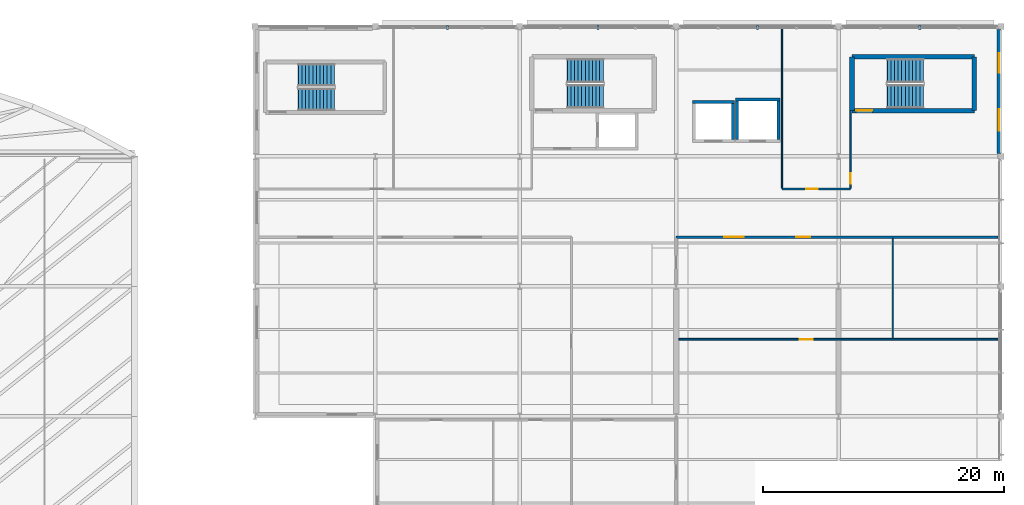
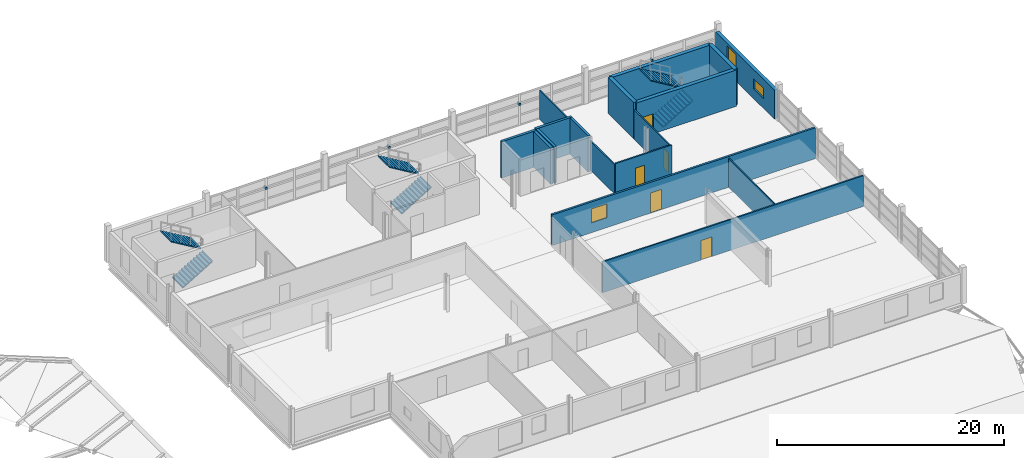
# One storey, part 104 of 110: 16 walls, 6 stair flights, 5 doors, 4 discrete accessories, 3 windows, 8 openings, 3 elements without a shape of their own.
"""IFC4 building model written with IfcOpenShell, lengths in metres."""

import ifcopenshell
import ifcopenshell.guid

model = None  # the IFC model being written
_history = None  # IfcOwnerHistory: only IFC2X3 demands one
_inside = {}  # id of a spatial element -> (the spatial element, [elements in it])
_under = {}  # id of a project, library or spatial element -> (it, [spatial elements below it])
_declared = {}  # id of a project -> (the project, [libraries it declares])
_typed = {}  # id of a type object -> (the type object, [elements of that type])
_made_of = {}  # id of a material, layer set ... -> (it, [elements and type objects made of it])


def new_model(schema):
    """Start an empty IFC model of exactly this schema.

    Asked for "IFC4X3", IfcOpenShell would pick the latest addendum, in which some entities
    have other attributes; the version numbers below select the first issue.
    IFC2X3 requires an IfcOwnerHistory on every rooted entity: one is made here for all.
    """
    global model, _history
    if schema == "IFC4X3":
        model = ifcopenshell.file(schema_version=(4, 3, 0, 0))
    else:
        model = ifcopenshell.file(schema=schema)
    _inside.clear()
    _under.clear()
    _declared.clear()
    _typed.clear()
    _made_of.clear()
    _history = None
    if model.schema == "IFC2X3":
        org = make("IfcOrganization", Name="unknown")
        user = make(
            "IfcPersonAndOrganization",
            ThePerson=make("IfcPerson", FamilyName="unknown"),
            TheOrganization=org,
        )
        app = make(
            "IfcApplication",
            ApplicationDeveloper=org,
            Version="unknown",
            ApplicationFullName="unknown",
            ApplicationIdentifier="unknown",
        )
        _history = make(
            "IfcOwnerHistory",
            OwningUser=user,
            OwningApplication=app,
            ChangeAction="ADDED",
            CreationDate=0,
        )
    return model


def make(cls, **values):
    """One entity of the class cls with the attributes given. An attribute that is None is left unset."""
    return model.create_entity(
        cls, **{name: value for name, value in values.items() if value is not None}
    )


def rooted(cls, **values):
    """An entity with a GlobalId (a new one), such as an element, a storey or a relation."""
    return make(cls, GlobalId=ifcopenshell.guid.new(), OwnerHistory=_history, **values)


def si_unit(unit_type, name, prefix=None):
    """IfcSIUnit, for example si_unit("LENGTHUNIT", "METRE", prefix="MILLI")."""
    return make("IfcSIUnit", UnitType=unit_type, Prefix=prefix, Name=name)


def assignment(units):
    """IfcUnitAssignment: the units of a project."""
    return None if units is None else make("IfcUnitAssignment", Units=units)


def point(xyz):
    """IfcCartesianPoint."""
    return None if xyz is None else make("IfcCartesianPoint", Coordinates=xyz)


def direction(xyz):
    """IfcDirection."""
    return None if xyz is None else make("IfcDirection", DirectionRatios=xyz)


def frame(location, z_axis=None, x_axis=None):
    """IfcAxis2Placement3D, a coordinate frame: its origin and axes. An axis left out is left unset."""
    return make(
        "IfcAxis2Placement3D",
        Location=point(location),
        Axis=direction(z_axis),
        RefDirection=direction(x_axis),
    )


def frame_2d(location, x_axis=None):
    """IfcAxis2Placement2D, a coordinate frame in the plane: its origin and x axis."""
    return make(
        "IfcAxis2Placement2D", Location=point(location), RefDirection=direction(x_axis)
    )


def origin():
    """The frame at (0, 0, 0) with its axes left unset."""
    return frame((0.0, 0.0, 0.0))


def origin_2d():
    """The frame at (0, 0) in the plane with its x axis left unset."""
    return frame_2d((0.0, 0.0))


def place(relative_to, where):
    """IfcLocalPlacement: puts the frame where relative to a parent placement (None: the world)."""
    return make(
        "IfcLocalPlacement", PlacementRelTo=relative_to, RelativePlacement=where
    )


def context(
    kind, dimensions, precision=None, world=None, true_north=None, identifier=None
):
    """IfcGeometricRepresentationContext, for example the 3D "Model" context."""
    return make(
        "IfcGeometricRepresentationContext",
        ContextIdentifier=identifier,
        ContextType=kind,
        CoordinateSpaceDimension=dimensions,
        Precision=precision,
        WorldCoordinateSystem=world,
        TrueNorth=true_north,
    )


def subcontext(parent, identifier, kind, view, scale=None):
    """IfcGeometricRepresentationSubContext, for example "Body" below "Model"."""
    return make(
        "IfcGeometricRepresentationSubContext",
        ContextIdentifier=identifier,
        ContextType=kind,
        ParentContext=parent,
        TargetScale=scale,
        TargetView=view,
    )


def project(units=None, contexts=None):
    """IfcProject with its units and contexts."""
    return rooted(
        "IfcProject",
        Name="project",
        RepresentationContexts=contexts,
        UnitsInContext=assignment(units),
    )


def spatial(cls, under=None, at=None, **own):
    """A site, building, storey or space (cls), placed at a placement, below another one or the project."""
    s = rooted(cls, ObjectPlacement=at, **own)
    if under is not None:
        _under.setdefault(under.id(), (under, []))[1].append(s)
    return s


def polyline(points):
    """IfcPolyline through the points."""
    return make("IfcPolyline", Points=[point(p) for p in points])


def profile(cls, at=None, kind="AREA", **sizes):
    """A parametric profile (cls). Its sizes go by their IFC names, for example OverallWidth=200.0."""
    return make(cls, ProfileType=kind, Position=at, **sizes)


def rectangle(**sizes):
    """IfcRectangleProfileDef."""
    return profile("IfcRectangleProfileDef", **sizes)


def outline(outer, holes=None, kind="AREA"):
    """IfcArbitraryClosedProfileDef: a profile drawn as a closed curve; with holes, ...WithVoids."""
    if holes is None:
        return make("IfcArbitraryClosedProfileDef", ProfileType=kind, OuterCurve=outer)
    return make(
        "IfcArbitraryProfileDefWithVoids",
        ProfileType=kind,
        OuterCurve=outer,
        InnerCurves=holes,
    )


def extrude(swept, where, along, depth):
    """IfcExtrudedAreaSolid: the profile swept, set in the frame where, extruded along a direction by depth."""
    return make(
        "IfcExtrudedAreaSolid",
        SweptArea=swept,
        Position=where,
        ExtrudedDirection=direction(along),
        Depth=depth,
    )


def shape(context_of_items, identifier, shape_type, items):
    """IfcShapeRepresentation: the items that make up one representation, for example the "Body"."""
    return make(
        "IfcShapeRepresentation",
        ContextOfItems=context_of_items,
        RepresentationIdentifier=identifier,
        RepresentationType=shape_type,
        Items=items,
    )


def material(Name=None, Category=None):
    """IfcMaterial."""
    return make("IfcMaterial", Name=Name, Category=Category)


def layer(
    of_material, thickness, ventilated=None, Name=None, Category=None, Priority=None
):
    """IfcMaterialLayer: one layer of a wall or slab, of a material (None: an air gap)."""
    return make(
        "IfcMaterialLayer",
        Material=of_material,
        LayerThickness=thickness,
        IsVentilated=ventilated,
        Name=Name,
        Category=Category,
        Priority=Priority,
    )


def layer_set(layers, Name=None):
    """IfcMaterialLayerSet."""
    return make("IfcMaterialLayerSet", MaterialLayers=layers, LayerSetName=Name)


def made_of(thing, what):
    """Note that an element or type object is made of a material, layer set ...; save() writes the relation."""
    if what is not None:
        _made_of.setdefault(what.id(), (what, []))[1].append(thing)
    return thing


def type_object(cls, material=None, **own):
    """A type object (cls), such as IfcWallType, which elements share."""
    return made_of(rooted(cls, **own), material)


def element(
    cls,
    number,
    at=None,
    inside=None,
    cuts=None,
    type_object=None,
    material=None,
    context=None,
    identifier="Body",
    shape_type=None,
    held_by="IfcProductDefinitionShape",
    body=None,
    shapes=None,
    **own,
):
    """One element of the class cls, such as IfcWall. Its Tag is "e" and its number.

    at: its placement. inside: the storey or other place that contains it. cuts: it is an
    opening in that element (IfcRelVoidsElement). A single representation is given by context,
    identifier, shape_type and body (its items); several are given by shapes. held_by: the class
    of the entity that holds the representations. save() writes the other relations.
    """
    e = rooted(cls, Tag="e%d" % number, ObjectPlacement=at, **own)
    if body is not None:
        shapes = [shape(context, identifier, shape_type, body)]
    if shapes is not None:
        e.Representation = make(held_by, Representations=shapes)
    if inside is not None:
        _inside.setdefault(inside.id(), (inside, []))[1].append(e)
    if cuts is not None:
        rooted(
            "IfcRelVoidsElement", RelatingBuildingElement=cuts, RelatedOpeningElement=e
        )
    if type_object is not None:
        _typed.setdefault(type_object.id(), (type_object, []))[1].append(e)
    return made_of(e, material)


def fill(opening, filler):
    """IfcRelFillsElement: the door or window that sits in an opening."""
    return rooted(
        "IfcRelFillsElement",
        RelatingOpeningElement=opening,
        RelatedBuildingElement=filler,
    )


def aggregate(whole, parts):
    """IfcRelAggregates: a whole, such as a stair, and the parts it consists of."""
    return rooted("IfcRelAggregates", RelatingObject=whole, RelatedObjects=parts)


def save(model, path):
    """Write the relations noted so far, then the file.

    IfcRelAggregates (storeys below a building ...), IfcRelContainedInSpatialStructure (elements
    in a storey), IfcRelDefinesByType, IfcRelAssociatesMaterial and IfcRelDeclares: one each for
    every whole, place, type object, material and project.
    """
    for whole, parts in _under.values():
        aggregate(whole, parts)
    for where, things in _inside.values():
        rooted(
            "IfcRelContainedInSpatialStructure",
            RelatedElements=things,
            RelatingStructure=where,
        )
    for kind, things in _typed.values():
        rooted("IfcRelDefinesByType", RelatedObjects=things, RelatingType=kind)
    for what, things in _made_of.values():
        rooted("IfcRelAssociatesMaterial", RelatedObjects=things, RelatingMaterial=what)
    for by, libraries in _declared.values():
        rooted("IfcRelDeclares", RelatingContext=by, RelatedDefinitions=libraries)
    model.write(path)


model = new_model("IFC4")

# Units and contexts
model_context = context("Model", 3, precision=1e-05, world=origin(), true_north=direction((0.0, 1.0)))
body_context = subcontext(model_context, "Body", "Model", "MODEL_VIEW")
ifc_project = project(units=[si_unit("LENGTHUNIT", "METRE"), si_unit("AREAUNIT", "SQUARE_METRE"), si_unit("VOLUMEUNIT", "CUBIC_METRE"), si_unit("PLANEANGLEUNIT", "RADIAN"), si_unit("MASSUNIT", "GRAM", prefix="KILO")], contexts=[model_context])

# Site, building, storey
site_placement = place(None, origin())
site = spatial("IfcSite", under=ifc_project, at=site_placement, CompositionType="ELEMENT")
building_placement = place(site_placement, origin())
building = spatial("IfcBuilding", under=site, at=building_placement, Name="Tamarisk Ironworks Central Station", CompositionType="ELEMENT")
storey_placement = place(building_placement, frame((0.0, 0.0, 17.39990234375)))
storey = spatial("IfcBuildingStorey", under=building, at=storey_placement, Name="L03", CompositionType="ELEMENT", Elevation=17.39990234375)

# Wall, openings, windows
ifc_material_1 = material(Name="Clay facing brickwork and mortar", Category="masonry")
ifc_layer_1 = layer(ifc_material_1, 0.340087890625)
ifc_layer_set_1 = layer_set([ifc_layer_1], Name="Clay facing brickwork and mortar")
wall_type_1 = type_object("IfcWallType", Name="WL-BR340", PredefinedType="STANDARD", material=ifc_layer_set_1)
wall_1_placement = place(storey_placement, frame((179.830078125, 122.152099609375, 0.0), z_axis=(0.0, 0.0, 1.0), x_axis=(0.0, -1.0, 0.0)))
wall_1 = element("IfcWall", 1, at=wall_1_placement, inside=storey, type_object=wall_type_1, Name="L03 brick facade wall 0078", PredefinedType="STANDARD", context=body_context, shape_type="SweptSolid", body=[
    extrude(rectangle(XDim=10.30419921875, YDim=0.340087890625, at=frame_2d((5.152099609375, 0.0))), origin(), (0.0, 0.0, 1.0), 3.1201171875),
])
opening_1_placement = place(wall_1_placement, frame((1.97607421875, 0.0, 0.75)))
opening_1 = element("IfcOpeningElement", 2, at=opening_1_placement, cuts=wall_1, Name="Opening W10", PredefinedType="OPENING", context=body_context, shape_type="SweptSolid", body=[
    extrude(rectangle(XDim=1.60009765625, YDim=2.10009765625, at=frame_2d((0.800048828125, 1.050048828125))), frame((0.0, 0.18212890625, 0.0), z_axis=(0.0, -1.0, 0.0), x_axis=(1.0, 0.0, 0.0)), (0.0, 0.0, 1.0), 0.364013671875),
])
opening_2_placement = place(wall_1_placement, frame((6.6279296875, 0.0, 1.050048828125)))
opening_2 = element("IfcOpeningElement", 3, at=opening_2_placement, cuts=wall_1, Name="Opening W18", PredefinedType="OPENING", context=body_context, shape_type="SweptSolid", body=[
    extrude(rectangle(XDim=1.800048828125, YDim=1.10009765625, at=frame_2d((0.89990234375, 0.550048828125))), frame((0.0, 0.18212890625, 0.0), z_axis=(0.0, -1.0, 0.0), x_axis=(1.0, 0.0, 0.0)), (0.0, 0.0, 1.0), 0.364013671875),
])
ifc_material_2 = material(Name="Laminated solar-control low-E glass", Category="glass")
window_type_1 = type_object("IfcWindowType", Name="WN-10", PartitioningType="SINGLE_PANEL", PredefinedType="WINDOW", material=ifc_material_2)
window_1_placement = place(opening_1_placement, origin())
window_1 = element("IfcWindow", 4, at=window_1_placement, inside=storey, type_object=window_type_1, Name="L03 exterior window 0133", OverallHeight=2.10009765625, OverallWidth=1.60009765625, PartitioningType="DOUBLE_PANEL_VERTICAL", PredefinedType="WINDOW", context=body_context, shape_type="SweptSolid", body=[
    extrude(rectangle(XDim=1.60009765625, YDim=2.10009765625, at=frame_2d((0.800048828125, 1.050048828125))), frame((0.0, 0.030029296875, 0.0), z_axis=(0.0, -1.0, 0.0), x_axis=(1.0, 0.0, 0.0)), (0.0, 0.0, 1.0), 0.06005859375),
])
fill(opening_1, window_1)
window_type_2 = type_object("IfcWindowType", Name="WN-18", PartitioningType="SINGLE_PANEL", PredefinedType="WINDOW", material=ifc_material_2)
window_2_placement = place(opening_2_placement, origin())
window_2 = element("IfcWindow", 5, at=window_2_placement, inside=storey, type_object=window_type_2, Name="L03 exterior window 0134", OverallHeight=1.10009765625, OverallWidth=1.800048828125, PartitioningType="DOUBLE_PANEL_VERTICAL", PredefinedType="WINDOW", context=body_context, shape_type="SweptSolid", body=[
    extrude(rectangle(XDim=1.800048828125, YDim=1.10009765625, at=frame_2d((0.89990234375, 0.550048828125))), frame((0.0, 0.030029296875, 0.0), z_axis=(0.0, -1.0, 0.0), x_axis=(1.0, 0.0, 0.0)), (0.0, 0.0, 1.0), 0.06005859375),
])
fill(opening_2, window_2)

# Wall, opening, door
ifc_material_3 = material(Name="Concrete C50/60", Category="concrete")
ifc_layer_2 = layer(ifc_material_3, 0.3798828125)
ifc_layer_set_2 = layer_set([ifc_layer_2], Name="Concrete C50/60")
wall_type_2 = type_object("IfcWallType", Name="WL-CW380", PredefinedType="SOLIDWALL", material=ifc_layer_set_2)
wall_2_placement = place(storey_placement, frame((167.614990234375, 115.4150390625, 0.0), z_axis=(0.0, 0.0, 1.0), x_axis=(1.0, 0.0, 0.0)))
wall_2 = element("IfcWall", 6, at=wall_2_placement, inside=storey, type_object=wall_type_2, Name="ST-C2 core wall L (L03)", PredefinedType="SOLIDWALL", context=body_context, shape_type="SweptSolid", body=[
    extrude(rectangle(XDim=10.169921875, YDim=0.3798828125, at=frame_2d((5.0849609375, 0.0))), origin(), (0.0, 0.0, 1.0), 3.900146484375),
])
opening_3_placement = place(wall_2_placement, frame((0.35009765625, 0.0, 0.0048828125)))
opening_3 = element("IfcOpeningElement", 7, at=opening_3_placement, cuts=wall_2, Name="Opening FD05", PredefinedType="OPENING", context=body_context, shape_type="SweptSolid", body=[
    extrude(rectangle(XDim=1.35009765625, YDim=2.14990234375, at=frame_2d((0.675048828125, 1.074951171875))), frame((0.0, 0.201904296875, 0.0), z_axis=(0.0, -1.0, 0.0), x_axis=(1.0, 0.0, 0.0)), (0.0, 0.0, 1.0), 0.40380859375),
])
ifc_material_4 = material(Name="Galvanised hollow-metal door steel", Category="steel")
door_type_1 = type_object("IfcDoorType", Name="DR-FD05", OperationType="NOTDEFINED", PredefinedType="DOOR", material=ifc_material_4)
door_1_placement = place(opening_3_placement, origin())
door_1 = element("IfcDoor", 8, at=door_1_placement, inside=storey, type_object=door_type_1, Name="ST-C2 fire stair door (L03)", OperationType="SINGLE_SWING_RIGHT", OverallHeight=2.14990234375, OverallWidth=1.35009765625, PredefinedType="DOOR", context=body_context, shape_type="SweptSolid", body=[
    extrude(rectangle(XDim=1.35009765625, YDim=2.14990234375, at=frame_2d((0.675048828125, 1.074951171875))), frame((0.0, 0.02490234375, 0.0), z_axis=(0.0, -1.0, 0.0), x_axis=(1.0, 0.0, 0.0)), (0.0, 0.0, 1.0), 0.050048828125),
])
fill(opening_3, door_1)

# Walls
wall_3_placement = place(storey_placement, frame((167.614990234375, 119.885009765625, 0.0), z_axis=(0.0, 0.0, 1.0), x_axis=(1.0, 0.0, 0.0)))
element("IfcWall", 9, at=wall_3_placement, inside=storey, type_object=wall_type_2, Name="ST-C2 core wall R (L03)", PredefinedType="SOLIDWALL", context=body_context, shape_type="SweptSolid", body=[
    extrude(rectangle(XDim=10.169921875, YDim=0.3798828125, at=frame_2d((5.0849609375, 0.0))), origin(), (0.0, 0.0, 1.0), 3.900146484375),
])
for number, where, z_axis, x_axis, name in (
    (10, (167.614990234375, 115.4150390625, 0.0), (0.0, 0.0, 1.0), (0.0, 1.0, 0.0), "ST-C2 core wall N (L03)"),
    (11, (177.784912109375, 115.4150390625, 0.0), (0.0, 0.0, 1.0), (0.0, 1.0, 0.0), "ST-C2 core wall F (L03)"),
):
    element("IfcWall", number, at=place(storey_placement, frame(where, z_axis=z_axis, x_axis=x_axis)), inside=storey, type_object=wall_type_2, Name=name, PredefinedType="SOLIDWALL", context=body_context, shape_type="SweptSolid", body=[
        extrude(rectangle(XDim=4.469970703125, YDim=0.3798828125, at=frame_2d((2.23486328125, 0.0))), origin(), (0.0, 0.0, 1.0), 3.900146484375),
    ])
ifc_material_5 = material(Name="Gypsum plasterboard acoustic partition")
ifc_layer_3 = layer(ifc_material_5, 0.10009765625)
ifc_layer_set_3 = layer_set([ifc_layer_3], Name="Gypsum plasterboard acoustic partition")
wall_type_3 = type_object("IfcWallType", Name="WL-MV100", PredefinedType="MOVABLE", material=ifc_layer_set_3)
wall_4_placement = place(storey_placement, frame((171.0, 96.472900390625, 0.0), z_axis=(0.0, 0.0, 1.0), x_axis=(0.0, 1.0, 0.0)))
element("IfcWall", 12, at=wall_4_placement, inside=storey, type_object=wall_type_3, Name="L03 acoustic operable folding partition 04", PredefinedType="MOVABLE", context=body_context, shape_type="SweptSolid", body=[
    extrude(rectangle(XDim=8.3291015625, YDim=0.10009765625, at=frame_2d((4.16455078125, 0.0))), origin(), (0.0, 0.0, 1.0), 3.1201171875),
])

# Wall, opening, door
ifc_layer_4 = layer(ifc_material_5, 0.1201171875)
ifc_layer_set_4 = layer_set([ifc_layer_4], Name="Gypsum plasterboard acoustic partition")
wall_type_4 = type_object("IfcWallType", Name="WL-PT120", PredefinedType="PARTITIONING", material=ifc_layer_set_4)
wall_5_placement = place(storey_placement, frame((167.5, 108.972900390625, 0.0), z_axis=(0.0, 0.0, 1.0), x_axis=(0.0, 1.0, 0.0)))
wall_5 = element("IfcWall", 13, at=wall_5_placement, inside=storey, type_object=wall_type_4, Name="L03 interior partition 0110", PredefinedType="PARTITIONING", context=body_context, shape_type="SweptSolid", body=[
    extrude(rectangle(XDim=6.427001953125, YDim=0.1201171875, at=frame_2d((3.21337890625, 0.0))), origin(), (0.0, 0.0, 1.0), 3.1201171875),
])
opening_4_placement = place(wall_5_placement, frame((0.35009765625, 0.0, 0.0048828125)))
opening_4 = element("IfcOpeningElement", 14, at=opening_4_placement, cuts=wall_5, Name="Opening D08", PredefinedType="OPENING", context=body_context, shape_type="SweptSolid", body=[
    extrude(rectangle(XDim=0.89990234375, YDim=2.10009765625, at=frame_2d((0.449951171875, 1.050048828125))), frame((0.0, 0.072021484375, 0.0), z_axis=(0.0, -1.0, 0.0), x_axis=(1.0, 0.0, 0.0)), (0.0, 0.0, 1.0), 0.14404296875),
])
ifc_material_6 = material(Name="FSC certified tropical hardwood timber", Category="wood")
door_type_2 = type_object("IfcDoorType", Name="DR-ID08", OperationType="NOTDEFINED", PredefinedType="DOOR", material=ifc_material_6)
door_2_placement = place(opening_4_placement, origin())
door_2 = element("IfcDoor", 15, at=door_2_placement, inside=storey, type_object=door_type_2, Name="L03 room door 0081", OperationType="SINGLE_SWING_RIGHT", OverallHeight=2.10009765625, OverallWidth=0.89990234375, PredefinedType="DOOR", context=body_context, shape_type="SweptSolid", body=[
    extrude(rectangle(XDim=0.89990234375, YDim=2.10009765625, at=frame_2d((0.449951171875, 1.050048828125))), frame((0.0, 0.02490234375, 0.0), z_axis=(0.0, -1.0, 0.0), x_axis=(1.0, 0.0, 0.0)), (0.0, 0.0, 1.0), 0.050048828125),
])
fill(opening_4, door_2)

# Wall
wall_6_placement = place(storey_placement, frame((161.800048828125, 108.972900390625, 0.0), z_axis=(0.0, 0.0, 1.0), x_axis=(0.0, 1.0, 0.0)))
element("IfcWall", 16, at=wall_6_placement, inside=storey, type_object=wall_type_4, Name="L03 interior partition 0111", PredefinedType="PARTITIONING", context=body_context, shape_type="SweptSolid", body=[
    extrude(rectangle(XDim=13.189208984375, YDim=0.1201171875, at=frame_2d((6.5947265625, 0.0))), origin(), (0.0, 0.0, 1.0), 3.1201171875),
])

# Wall, opening, door
ifc_layer_5 = layer(ifc_material_5, 0.14990234375)
ifc_layer_set_5 = layer_set([ifc_layer_5], Name="Gypsum plasterboard acoustic partition")
wall_type_5 = type_object("IfcWallType", Name="WL-PT150", PredefinedType="PARTITIONING", material=ifc_layer_set_5)
wall_7_placement = place(storey_placement, frame((153.22802734375, 96.39990234375, 0.0), z_axis=(0.0, 0.0, 1.0), x_axis=(1.0, 0.0, 0.0)))
wall_7 = element("IfcWall", 17, at=wall_7_placement, inside=storey, type_object=wall_type_5, Name="L03 interior partition 0106", PredefinedType="PARTITIONING", context=body_context, shape_type="SweptSolid", body=[
    extrude(rectangle(XDim=26.533935546875, YDim=0.14990234375, at=frame_2d((13.26708984375, 0.0))), origin(), (0.0, 0.0, 1.0), 3.31005859375),
])
opening_5_placement = place(wall_7_placement, frame((10.028076171875, 0.0, 0.0048828125)))
opening_5 = element("IfcOpeningElement", 18, at=opening_5_placement, cuts=wall_7, Name="Opening D05", PredefinedType="OPENING", context=body_context, shape_type="SweptSolid", body=[
    extrude(rectangle(XDim=1.10009765625, YDim=2.10009765625, at=frame_2d((0.550048828125, 1.050048828125))), frame((0.0, 0.0869140625, 0.0), z_axis=(0.0, -1.0, 0.0), x_axis=(1.0, 0.0, 0.0)), (0.0, 0.0, 1.0), 0.173828125),
])
door_type_3 = type_object("IfcDoorType", Name="DR-ID05", OperationType="NOTDEFINED", PredefinedType="DOOR", material=ifc_material_6)
door_3_placement = place(opening_5_placement, origin())
door_3 = element("IfcDoor", 19, at=door_3_placement, inside=storey, type_object=door_type_3, Name="L03 room door 0078", OperationType="SINGLE_SWING_LEFT", OverallHeight=2.10009765625, OverallWidth=1.10009765625, PredefinedType="DOOR", context=body_context, shape_type="SweptSolid", body=[
    extrude(rectangle(XDim=1.10009765625, YDim=2.10009765625, at=frame_2d((0.550048828125, 1.050048828125))), frame((0.0, 0.02490234375, 0.0), z_axis=(0.0, -1.0, 0.0), x_axis=(1.0, 0.0, 0.0)), (0.0, 0.0, 1.0), 0.050048828125),
])
fill(opening_5, door_3)

wall_8_placement = place(storey_placement, frame((161.800048828125, 108.89990234375, 0.0), z_axis=(0.0, 0.0, 1.0), x_axis=(1.0, 0.0, 0.0)))
wall_8 = element("IfcWall", 20, at=wall_8_placement, inside=storey, type_object=wall_type_5, Name="L03 interior partition 0109", PredefinedType="PARTITIONING", context=body_context, shape_type="SweptSolid", body=[
    extrude(rectangle(XDim=5.699951171875, YDim=0.14990234375, at=frame_2d((2.85009765625, 0.0))), origin(), (0.0, 0.0, 1.0), 3.31005859375),
])
opening_6_placement = place(wall_8_placement, frame((2.0, 0.0, 0.0048828125)))
opening_6 = element("IfcOpeningElement", 21, at=opening_6_placement, cuts=wall_8, Name="Opening D07", PredefinedType="OPENING", context=body_context, shape_type="SweptSolid", body=[
    extrude(rectangle(XDim=0.949951171875, YDim=2.10009765625, at=frame_2d((0.47509765625, 1.050048828125))), frame((0.0, 0.0869140625, 0.0), z_axis=(0.0, -1.0, 0.0), x_axis=(1.0, 0.0, 0.0)), (0.0, 0.0, 1.0), 0.173828125),
])
door_type_4 = type_object("IfcDoorType", Name="DR-ID07", OperationType="NOTDEFINED", PredefinedType="DOOR", material=ifc_material_6)
door_4_placement = place(opening_6_placement, origin())
door_4 = element("IfcDoor", 22, at=door_4_placement, inside=storey, type_object=door_type_4, Name="L03 room door 0080", OperationType="SINGLE_SWING_RIGHT", OverallHeight=2.10009765625, OverallWidth=0.949951171875, PredefinedType="DOOR", context=body_context, shape_type="SweptSolid", body=[
    extrude(rectangle(XDim=0.949951171875, YDim=2.10009765625, at=frame_2d((0.47509765625, 1.050048828125))), frame((0.0, 0.02490234375, 0.0), z_axis=(0.0, -1.0, 0.0), x_axis=(1.0, 0.0, 0.0)), (0.0, 0.0, 1.0), 0.050048828125),
])
fill(opening_6, door_4)

# Wall, openings, door, window
ifc_layer_6 = layer(ifc_material_1, 0.199951171875)
ifc_layer_set_6 = layer_set([ifc_layer_6], Name="Clay facing brickwork and mortar")
wall_type_6 = type_object("IfcWallType", Name="WL-PT200", PredefinedType="PARTITIONING", material=ifc_layer_set_6)
wall_9_placement = place(storey_placement, frame((153.0, 104.89990234375, 0.0), z_axis=(0.0, 0.0, 1.0), x_axis=(1.0, 0.0, 0.0)))
wall_9 = element("IfcWall", 23, at=wall_9_placement, inside=storey, type_object=wall_type_6, Name="L03 interior partition 0102", PredefinedType="PARTITIONING", context=body_context, shape_type="SweptSolid", body=[
    extrude(rectangle(XDim=26.761962890625, YDim=0.199951171875, at=frame_2d((13.380859375, 0.0))), origin(), (0.0, 0.0, 1.0), 3.31005859375),
])
opening_7_placement = place(wall_9_placement, frame((10.0, 0.0, 0.0048828125)))
opening_7 = element("IfcOpeningElement", 24, at=opening_7_placement, cuts=wall_9, Name="Opening FD06", PredefinedType="OPENING", context=body_context, shape_type="SweptSolid", body=[
    extrude(rectangle(XDim=1.14990234375, YDim=2.14990234375, at=frame_2d((0.574951171875, 1.074951171875))), frame((0.0, 0.11181640625, 0.0), z_axis=(0.0, -1.0, 0.0), x_axis=(1.0, 0.0, 0.0)), (0.0, 0.0, 1.0), 0.223876953125),
])
opening_8_placement = place(wall_9_placement, frame((4.0, 0.0, 1.050048828125)))
opening_8 = element("IfcOpeningElement", 25, at=opening_8_placement, cuts=wall_9, Name="Opening W22", PredefinedType="OPENING", context=body_context, shape_type="SweptSolid", body=[
    extrude(rectangle(XDim=1.60009765625, YDim=1.5, at=frame_2d((0.800048828125, 0.75))), frame((0.0, 0.11181640625, 0.0), z_axis=(0.0, -1.0, 0.0), x_axis=(1.0, 0.0, 0.0)), (0.0, 0.0, 1.0), 0.223876953125),
])
door_type_5 = type_object("IfcDoorType", Name="DR-FD06", OperationType="NOTDEFINED", PredefinedType="DOOR", material=ifc_material_4)
door_5_placement = place(opening_7_placement, origin())
door_5 = element("IfcDoor", 26, at=door_5_placement, inside=storey, type_object=door_type_5, Name="L03 room door 0074", OperationType="SINGLE_SWING_RIGHT", OverallHeight=2.14990234375, OverallWidth=1.14990234375, PredefinedType="DOOR", context=body_context, shape_type="SweptSolid", body=[
    extrude(rectangle(XDim=1.14990234375, YDim=2.14990234375, at=frame_2d((0.574951171875, 1.074951171875))), frame((0.0, 0.02490234375, 0.0), z_axis=(0.0, -1.0, 0.0), x_axis=(1.0, 0.0, 0.0)), (0.0, 0.0, 1.0), 0.050048828125),
])
fill(opening_7, door_5)
window_type_3 = type_object("IfcWindowType", Name="WN-22", PartitioningType="SINGLE_PANEL", PredefinedType="WINDOW", material=ifc_material_2)
window_3_placement = place(opening_8_placement, origin())
window_3 = element("IfcWindow", 27, at=window_3_placement, inside=storey, type_object=window_type_3, Name="L03 internal observation window", OverallHeight=1.5, OverallWidth=1.60009765625, PartitioningType="DOUBLE_PANEL_VERTICAL", PredefinedType="WINDOW", context=body_context, shape_type="SweptSolid", body=[
    extrude(rectangle(XDim=1.60009765625, YDim=1.5, at=frame_2d((0.800048828125, 0.75))), frame((0.0, 0.030029296875, 0.0), z_axis=(0.0, -1.0, 0.0), x_axis=(1.0, 0.0, 0.0)), (0.0, 0.0, 1.0), 0.06005859375),
])
fill(opening_8, window_3)

# Walls
ifc_layer_7 = layer(ifc_material_3, 0.25)
ifc_layer_set_7 = layer_set([ifc_layer_7], Name="Concrete C50/60")
wall_type_7 = type_object("IfcWallType", Name="WL-SH250", PredefinedType="SOLIDWALL", material=ifc_layer_set_7)
wall_10_placement = place(storey_placement, frame((154.35009765625, 116.125, 0.0), z_axis=(0.0, 0.0, 1.0), x_axis=(1.0, 0.0, 0.0)))
element("IfcWall", 28, at=wall_10_placement, inside=storey, type_object=wall_type_7, Name="LF-O1 lift shaft wall N (L03)", PredefinedType="SOLIDWALL", context=body_context, shape_type="SweptSolid", body=[
    extrude(rectangle(XDim=3.5, YDim=0.25, at=frame_2d((1.75, 0.0))), origin(), (0.0, 0.0, 1.0), 3.900146484375),
])
wall_11_placement = place(storey_placement, frame((157.72509765625, 113.0, 0.0), z_axis=(0.0, 0.0, 1.0), x_axis=(0.0, 1.0, 0.0)))
element("IfcWall", 29, at=wall_11_placement, inside=storey, type_object=wall_type_7, Name="LF-O1 lift shaft wall E (L03)", PredefinedType="SOLIDWALL", context=body_context, shape_type="SweptSolid", body=[
    extrude(rectangle(XDim=3.0, YDim=0.25, at=frame_2d((1.5, 0.0))), origin(), (0.0, 0.0, 1.0), 3.900146484375),
])
wall_12_placement = place(storey_placement, frame((157.949951171875, 116.324951171875, 0.0), z_axis=(0.0, 0.0, 1.0), x_axis=(1.0, 0.0, 0.0)))
element("IfcWall", 30, at=wall_12_placement, inside=storey, type_object=wall_type_7, Name="LF-O2 lift shaft wall N (L03)", PredefinedType="SOLIDWALL", context=body_context, shape_type="SweptSolid", body=[
    extrude(rectangle(XDim=3.699951171875, YDim=0.25, at=frame_2d((1.85009765625, 0.0))), origin(), (0.0, 0.0, 1.0), 3.900146484375),
])
for number, where, z_axis, x_axis, name in (
    (31, (158.074951171875, 113.0, 0.0), (0.0, 0.0, 1.0), (0.0, 1.0, 0.0), "LF-O2 lift shaft wall W (L03)"),
    (32, (161.52490234375, 113.0, 0.0), (0.0, 0.0, 1.0), (0.0, 1.0, 0.0), "LF-O2 lift shaft wall E (L03)"),
):
    element("IfcWall", number, at=place(storey_placement, frame(where, z_axis=z_axis, x_axis=x_axis)), inside=storey, type_object=wall_type_7, Name=name, PredefinedType="SOLIDWALL", context=body_context, shape_type="SweptSolid", body=[
        extrude(rectangle(XDim=3.199951171875, YDim=0.25, at=frame_2d((1.60009765625, 0.0))), origin(), (0.0, 0.0, 1.0), 3.900146484375),
    ])

# Stair, stair flights
ifc_material_7 = material(Name="Concrete C35/45", Category="concrete")
stair_type_1 = type_object("IfcStairType", Name="ST-CORE-A", PredefinedType="HALF_TURN_STAIR", material=ifc_material_7)
stair_1_placement = place(storey_placement, origin())
stair_1 = element("IfcStair", 33, at=stair_1_placement, inside=storey, type_object=stair_type_1, Name="L03 Firefighting Exit Stair Core 1", PredefinedType="HALF_TURN_STAIR")
stair_flight_type_1 = type_object("IfcStairFlightType", Name="SF-CORE-A", PredefinedType="STRAIGHT", material=ifc_material_7)
stair_flight_1_placement = place(storey_placement, frame((143.949951171875, 116.574951171875, 0.0), z_axis=(0.0, 0.0, 1.0), x_axis=(1.0, 0.0, 0.0)))
stair_flight_1 = element("IfcStairFlight", 34, at=stair_flight_1_placement, type_object=stair_flight_type_1, Name="ST-C1 flight 1", NumberOfRisers=11, NumberOfTreads=10, PredefinedType="STRAIGHT", RiserHeight=0.177272727, TreadLength=0.3, context=body_context, shape_type="SweptSolid", body=[
    extrude(outline(polyline([(-0.01806640625, 0.0), (-0.01806640625, 0.115234375), (0.0, 0.115234375), (0.0, 0.17724609375), (0.300048828125, 0.17724609375), (0.300048828125, 0.3544921875), (0.60009765625, 0.3544921875), (0.60009765625, 0.53173828125), (0.89990234375, 0.53173828125), (0.89990234375, 0.708984375), (1.199951171875, 0.708984375), (1.199951171875, 0.886474609375), (1.5, 0.886474609375), (1.5, 1.063720703125), (1.800048828125, 1.063720703125), (1.800048828125, 1.240966796875), (2.10009765625, 1.240966796875), (2.10009765625, 1.418212890625), (2.39990234375, 1.418212890625), (2.39990234375, 1.595458984375), (2.699951171875, 1.595458984375), (2.699951171875, 1.772705078125), (3.0, 1.772705078125), (3.0, 1.949951171875), (3.01806640625, 1.949951171875), (3.01806640625, 1.760009765625), (0.080078125, 0.0), (-0.01806640625, 0.0)])), frame((0.0, 0.97509765625, 0.0), z_axis=(0.0, -1.0, 0.0), x_axis=(1.0, 0.0, 0.0)), (0.0, 0.0, 1.0), 1.949951171875),
])
stair_flight_2_placement = place(storey_placement, frame((146.949951171875, 118.72509765625, 1.9501953125), z_axis=(0.0, 0.0, 1.0), x_axis=(-1.0, 0.0, 0.0)))
stair_flight_2 = element("IfcStairFlight", 35, at=stair_flight_2_placement, type_object=stair_flight_type_1, Name="ST-C1 flight 2", NumberOfRisers=11, NumberOfTreads=10, PredefinedType="STRAIGHT", RiserHeight=0.177272727, TreadLength=0.3, context=body_context, shape_type="SweptSolid", body=[
    extrude(outline(polyline([(-0.01806640625, 0.0), (-0.01806640625, 0.115234375), (0.0, 0.115234375), (0.0, 0.17724609375), (0.300048828125, 0.17724609375), (0.300048828125, 0.3544921875), (0.60009765625, 0.3544921875), (0.60009765625, 0.53173828125), (0.89990234375, 0.53173828125), (0.89990234375, 0.708984375), (1.199951171875, 0.708984375), (1.199951171875, 0.886474609375), (1.5, 0.886474609375), (1.5, 1.063720703125), (1.800048828125, 1.063720703125), (1.800048828125, 1.240966796875), (2.10009765625, 1.240966796875), (2.10009765625, 1.418212890625), (2.39990234375, 1.418212890625), (2.39990234375, 1.595458984375), (2.699951171875, 1.595458984375), (2.699951171875, 1.772705078125), (3.0, 1.772705078125), (3.0, 1.949951171875), (3.01806640625, 1.949951171875), (3.01806640625, 1.760009765625), (0.080078125, 0.0), (-0.01806640625, 0.0)])), frame((0.0, 0.97509765625, 0.0), z_axis=(0.0, -1.0, 0.0), x_axis=(1.0, 0.0, 0.0)), (0.0, 0.0, 1.0), 1.949951171875),
])
aggregate(stair_1, [stair_flight_1, stair_flight_2])

stair_2_placement = place(storey_placement, origin())
stair_2 = element("IfcStair", 36, at=stair_2_placement, inside=storey, type_object=stair_type_1, Name="L03 East Operations Exit Stair Core 2", PredefinedType="HALF_TURN_STAIR")
stair_flight_3_placement = place(storey_placement, frame((170.550048828125, 116.574951171875, 0.0), z_axis=(0.0, 0.0, 1.0), x_axis=(1.0, 0.0, 0.0)))
stair_flight_3 = element("IfcStairFlight", 37, at=stair_flight_3_placement, type_object=stair_flight_type_1, Name="ST-C2 flight 1", NumberOfRisers=11, NumberOfTreads=10, PredefinedType="STRAIGHT", RiserHeight=0.177272727, TreadLength=0.3, context=body_context, shape_type="SweptSolid", body=[
    extrude(outline(polyline([(-0.01806640625, 0.0), (-0.01806640625, 0.115234375), (0.0, 0.115234375), (0.0, 0.17724609375), (0.300048828125, 0.17724609375), (0.300048828125, 0.3544921875), (0.60009765625, 0.3544921875), (0.60009765625, 0.53173828125), (0.89990234375, 0.53173828125), (0.89990234375, 0.708984375), (1.199951171875, 0.708984375), (1.199951171875, 0.886474609375), (1.5, 0.886474609375), (1.5, 1.063720703125), (1.800048828125, 1.063720703125), (1.800048828125, 1.240966796875), (2.10009765625, 1.240966796875), (2.10009765625, 1.418212890625), (2.39990234375, 1.418212890625), (2.39990234375, 1.595458984375), (2.699951171875, 1.595458984375), (2.699951171875, 1.772705078125), (3.0, 1.772705078125), (3.0, 1.949951171875), (3.01806640625, 1.949951171875), (3.01806640625, 1.760009765625), (0.080078125, 0.0), (-0.01806640625, 0.0)])), frame((0.0, 0.97509765625, 0.0), z_axis=(0.0, -1.0, 0.0), x_axis=(1.0, 0.0, 0.0)), (0.0, 0.0, 1.0), 1.949951171875),
])
stair_flight_4_placement = place(storey_placement, frame((173.550048828125, 118.72509765625, 1.9501953125), z_axis=(0.0, 0.0, 1.0), x_axis=(-1.0, 0.0, 0.0)))
stair_flight_4 = element("IfcStairFlight", 38, at=stair_flight_4_placement, type_object=stair_flight_type_1, Name="ST-C2 flight 2", NumberOfRisers=11, NumberOfTreads=10, PredefinedType="STRAIGHT", RiserHeight=0.177272727, TreadLength=0.3, context=body_context, shape_type="SweptSolid", body=[
    extrude(outline(polyline([(-0.01806640625, 0.0), (-0.01806640625, 0.115234375), (0.0, 0.115234375), (0.0, 0.17724609375), (0.300048828125, 0.17724609375), (0.300048828125, 0.3544921875), (0.60009765625, 0.3544921875), (0.60009765625, 0.53173828125), (0.89990234375, 0.53173828125), (0.89990234375, 0.708984375), (1.199951171875, 0.708984375), (1.199951171875, 0.886474609375), (1.5, 0.886474609375), (1.5, 1.063720703125), (1.800048828125, 1.063720703125), (1.800048828125, 1.240966796875), (2.10009765625, 1.240966796875), (2.10009765625, 1.418212890625), (2.39990234375, 1.418212890625), (2.39990234375, 1.595458984375), (2.699951171875, 1.595458984375), (2.699951171875, 1.772705078125), (3.0, 1.772705078125), (3.0, 1.949951171875), (3.01806640625, 1.949951171875), (3.01806640625, 1.760009765625), (0.080078125, 0.0), (-0.01806640625, 0.0)])), frame((0.0, 0.97509765625, 0.0), z_axis=(0.0, -1.0, 0.0), x_axis=(1.0, 0.0, 0.0)), (0.0, 0.0, 1.0), 1.949951171875),
])
aggregate(stair_2, [stair_flight_3, stair_flight_4])

stair_type_2 = type_object("IfcStairType", Name="ST-CORE-C", PredefinedType="HALF_TURN_STAIR", material=ifc_material_7)
stair_3_placement = place(storey_placement, origin())
stair_3 = element("IfcStair", 39, at=stair_3_placement, inside=storey, type_object=stair_type_2, Name="L03 Courtyard Exit Stair Core 5", PredefinedType="HALF_TURN_STAIR")
stair_flight_type_2 = type_object("IfcStairFlightType", Name="SF-CORE-C", PredefinedType="STRAIGHT", material=ifc_material_7)
stair_flight_5_placement = place(storey_placement, frame((121.60009765625, 116.324951171875, 0.0), z_axis=(0.0, 0.0, 1.0), x_axis=(1.0, 0.0, 0.0)))
stair_flight_5 = element("IfcStairFlight", 40, at=stair_flight_5_placement, type_object=stair_flight_type_2, Name="ST-C5 flight 1", NumberOfRisers=11, NumberOfTreads=10, PredefinedType="STRAIGHT", RiserHeight=0.177272727, TreadLength=0.3, context=body_context, shape_type="SweptSolid", body=[
    extrude(outline(polyline([(-0.01806640625, 0.0), (-0.01806640625, 0.115234375), (0.0, 0.115234375), (0.0, 0.17724609375), (0.300048828125, 0.17724609375), (0.300048828125, 0.3544921875), (0.60009765625, 0.3544921875), (0.60009765625, 0.53173828125), (0.89990234375, 0.53173828125), (0.89990234375, 0.708984375), (1.199951171875, 0.708984375), (1.199951171875, 0.886474609375), (1.5, 0.886474609375), (1.5, 1.063720703125), (1.800048828125, 1.063720703125), (1.800048828125, 1.240966796875), (2.10009765625, 1.240966796875), (2.10009765625, 1.418212890625), (2.39990234375, 1.418212890625), (2.39990234375, 1.595458984375), (2.699951171875, 1.595458984375), (2.699951171875, 1.772705078125), (3.0, 1.772705078125), (3.0, 1.949951171875), (3.01806640625, 1.949951171875), (3.01806640625, 1.760009765625), (0.080078125, 0.0), (-0.01806640625, 0.0)])), frame((0.0, 0.925048828125, 0.0), z_axis=(0.0, -1.0, 0.0), x_axis=(1.0, 0.0, 0.0)), (0.0, 0.0, 1.0), 1.85009765625),
])
stair_flight_6_placement = place(storey_placement, frame((124.60009765625, 118.375, 1.9501953125), z_axis=(0.0, 0.0, 1.0), x_axis=(-1.0, 0.0, 0.0)))
stair_flight_6 = element("IfcStairFlight", 41, at=stair_flight_6_placement, type_object=stair_flight_type_2, Name="ST-C5 flight 2", NumberOfRisers=11, NumberOfTreads=10, PredefinedType="STRAIGHT", RiserHeight=0.177272727, TreadLength=0.3, context=body_context, shape_type="SweptSolid", body=[
    extrude(outline(polyline([(-0.01806640625, 0.0), (-0.01806640625, 0.115234375), (0.0, 0.115234375), (0.0, 0.17724609375), (0.300048828125, 0.17724609375), (0.300048828125, 0.3544921875), (0.60009765625, 0.3544921875), (0.60009765625, 0.53173828125), (0.89990234375, 0.53173828125), (0.89990234375, 0.708984375), (1.199951171875, 0.708984375), (1.199951171875, 0.886474609375), (1.5, 0.886474609375), (1.5, 1.063720703125), (1.800048828125, 1.063720703125), (1.800048828125, 1.240966796875), (2.10009765625, 1.240966796875), (2.10009765625, 1.418212890625), (2.39990234375, 1.418212890625), (2.39990234375, 1.595458984375), (2.699951171875, 1.595458984375), (2.699951171875, 1.772705078125), (3.0, 1.772705078125), (3.0, 1.949951171875), (3.01806640625, 1.949951171875), (3.01806640625, 1.760009765625), (0.080078125, 0.0), (-0.01806640625, 0.0)])), frame((0.0, 0.925048828125, 0.0), z_axis=(0.0, -1.0, 0.0), x_axis=(1.0, 0.0, 0.0)), (0.0, 0.0, 1.0), 1.85009765625),
])
aggregate(stair_3, [stair_flight_5, stair_flight_6])

# Discrete accessories
ifc_material_8 = material(Name="Brushed stainless steel AISI 316", Category="steel")
discrete_accessory_type = type_object("IfcDiscreteAccessoryType", Name="ACC-BRK01", PredefinedType="BRACKET", material=ifc_material_8)
for number, where, z_axis, x_axis, name in (
    (42, (134.0, 122.320068359375, 2.18017578125), (0.0, 0.0, 1.0), (1.0, 0.0, 0.0), "L03 solar canopy mounting bracket 008"),
    (43, (146.5, 122.320068359375, 2.18017578125), (0.0, 0.0, 1.0), (1.0, 0.0, 0.0), "L03 solar canopy mounting bracket 009"),
    (44, (159.75, 122.320068359375, 2.18017578125), (0.0, 0.0, 1.0), (1.0, 0.0, 0.0), "L03 solar canopy mounting bracket 010"),
    (45, (173.25, 122.320068359375, 2.18017578125), (0.0, 0.0, 1.0), (1.0, 0.0, 0.0), "L03 solar canopy mounting bracket 011"),
):
    element("IfcDiscreteAccessory", number, at=place(storey_placement, frame(where, z_axis=z_axis, x_axis=x_axis)), inside=storey, type_object=discrete_accessory_type, Name=name, PredefinedType="BRACKET", context=body_context, shape_type="SweptSolid", body=[
        extrude(rectangle(XDim=0.179931640625, YDim=0.360107421875, at=origin_2d()), origin(), (0.0, 0.0, 1.0), 0.239990234375),
    ])

save(model, "model.ifc")
